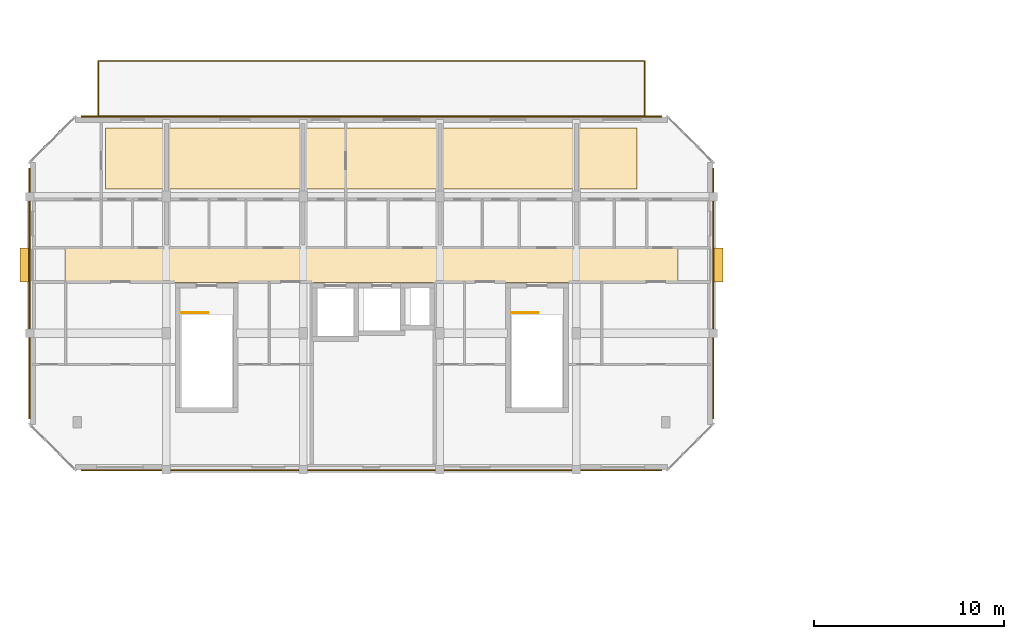
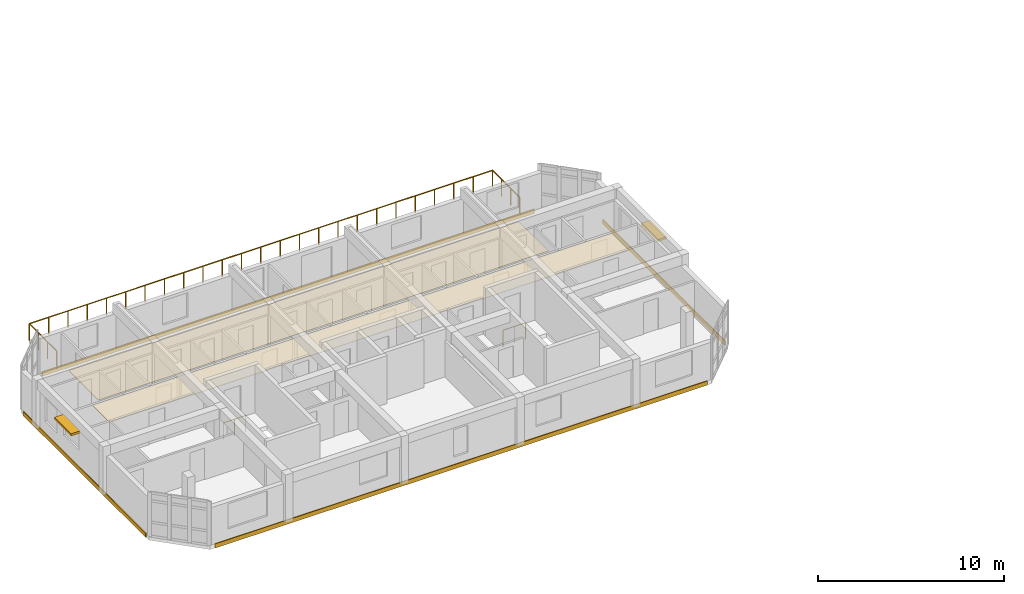
# One storey, part 24 of 30: 6 coverings, 3 railings, 2 shading devices.
"""IFC4 building model written with IfcOpenShell, lengths in metres."""

from ifc_helpers import new_model, si_unit, direction, frame, origin, origin_2d, place, context, subcontext, project, spatial, polyline, rectangle, circle, outline, extrude, material, layer, layer_set, type_object, element, save


model = new_model("IFC4")

# Units and contexts
model_context = context("Model", 3, precision=1e-05, world=origin(), true_north=direction((0.0, 1.0)))
body_context = subcontext(model_context, "Body", "Model", "MODEL_VIEW")
ifc_project = project(units=[si_unit("LENGTHUNIT", "METRE"), si_unit("AREAUNIT", "SQUARE_METRE"), si_unit("VOLUMEUNIT", "CUBIC_METRE"), si_unit("PLANEANGLEUNIT", "RADIAN"), si_unit("MASSUNIT", "GRAM", prefix="KILO")], contexts=[model_context])

# Site, building, storey
site_placement = place(None, origin())
site = spatial("IfcSite", under=ifc_project, at=site_placement, CompositionType="ELEMENT")
building_placement = place(site_placement, origin())
building = spatial("IfcBuilding", under=site, at=building_placement, Name="Ochrevale Crest", CompositionType="ELEMENT")
storey_placement = place(building_placement, frame((0.0, 0.0, 33.89990234375)))
storey = spatial("IfcBuildingStorey", under=building, at=storey_placement, Name="L10", CompositionType="ELEMENT", Elevation=33.89990234375)

# Coverings
ifc_material_1 = material(Name="Gypsum plasterboard", Category="gypsum")
ifc_layer_1 = layer(ifc_material_1, 0.02490234375)
ifc_layer_set_1 = layer_set([ifc_layer_1], Name="Gypsum plasterboard")
covering_type_1 = type_object("IfcCoveringType", Name="COV-CEIL-GYP", PredefinedType="CEILING", material=ifc_layer_set_1)
covering_1_placement = place(storey_placement, frame((0.0, 0.0, 2.280029296875)))
element("IfcCovering", 1, at=covering_1_placement, inside=storey, type_object=covering_type_1, Name="Block B L10 acoustic corridor ceiling", PredefinedType="CEILING", context=body_context, shape_type="SweptSolid", body=[
    extrude(outline(polyline([(1.85009765625, 81.860107421875), (34.14990234375, 81.860107421875), (34.14990234375, 83.739990234375), (1.85009765625, 83.739990234375), (1.85009765625, 81.860107421875)])), origin(), (0.0, 0.0, 1.0), 0.025146484375),
])
ifc_material_2 = material(Name="Glazed terracotta rainscreen tile", Category="masonry")
ifc_layer_2 = layer(ifc_material_2, 0.048095703125)
ifc_layer_set_2 = layer_set([ifc_layer_2], Name="Glazed terracotta rainscreen tile")
covering_type_2 = type_object("IfcCoveringType", Name="COV-CLAD-TER", PredefinedType="CLADDING", material=ifc_layer_set_2)
covering_2_placement = place(storey_placement, frame((18.0, 71.985595703125, -0.259765625), z_axis=(0.0, 0.0, 1.0), x_axis=(1.0, 0.0, 0.0)))
element("IfcCovering", 2, at=covering_2_placement, inside=storey, type_object=covering_type_2, Name="Block B L10 terracotta slab-edge spandrel cladding", PredefinedType="CLADDING", context=body_context, shape_type="SweptSolid", body=[
    extrude(rectangle(XDim=30.60009765625, YDim=0.06005859375, at=origin_2d()), origin(), (0.0, 0.0, 1.0), 0.280029296875),
])
covering_3_placement = place(storey_placement, frame((36.014404296875, 81.300048828125, -0.259765625), z_axis=(0.0, 0.0, 1.0), x_axis=(0.0, 1.0, 0.0)))
element("IfcCovering", 3, at=covering_3_placement, inside=storey, type_object=covering_type_2, Name="Block B L10 terracotta slab-edge spandrel cladding", PredefinedType="CLADDING", context=body_context, shape_type="SweptSolid", body=[
    extrude(rectangle(XDim=13.199951171875, YDim=0.06005859375, at=origin_2d()), origin(), (0.0, 0.0, 1.0), 0.280029296875),
])
covering_4_placement = place(storey_placement, frame((18.0, 90.614501953125, -0.259765625), z_axis=(0.0, 0.0, 1.0), x_axis=(-1.0, 0.0, 0.0)))
element("IfcCovering", 4, at=covering_4_placement, inside=storey, type_object=covering_type_2, Name="Block B L10 terracotta slab-edge spandrel cladding", PredefinedType="CLADDING", context=body_context, shape_type="SweptSolid", body=[
    extrude(rectangle(XDim=30.60009765625, YDim=0.06005859375, at=origin_2d()), origin(), (0.0, 0.0, 1.0), 0.280029296875),
])
covering_5_placement = place(storey_placement, frame((-0.014404296875, 81.300048828125, -0.259765625), z_axis=(0.0, 0.0, 1.0), x_axis=(0.0, -1.0, 0.0)))
element("IfcCovering", 5, at=covering_5_placement, inside=storey, type_object=covering_type_2, Name="Block B L10 terracotta slab-edge spandrel cladding", PredefinedType="CLADDING", context=body_context, shape_type="SweptSolid", body=[
    extrude(rectangle(XDim=13.199951171875, YDim=0.06005859375, at=origin_2d()), origin(), (0.0, 0.0, 1.0), 0.280029296875),
])
ifc_material_3 = material(Name="Engineered spotted-gum hardwood flooring", Category="wood")
ifc_layer_3 = layer(ifc_material_3, 0.02001953125)
ifc_layer_set_3 = layer_set([ifc_layer_3], Name="Engineered spotted-gum hardwood flooring")
covering_type_3 = type_object("IfcCoveringType", Name="COV-FLR-TIM", PredefinedType="FLOORING", material=ifc_layer_set_3)
covering_6_placement = place(storey_placement, origin())
element("IfcCovering", 6, at=covering_6_placement, inside=storey, type_object=covering_type_3, Name="Block B L10 spotted-gum apartment flooring", PredefinedType="FLOORING", context=body_context, shape_type="SweptSolid", body=[
    extrude(outline(polyline([(4.0, 86.800048828125), (32.0, 86.800048828125), (32.0, 90.0), (4.0, 90.0), (4.0, 86.800048828125)])), origin(), (0.0, 0.0, 1.0), 0.02001953125),
])

# Railings
ifc_material_4 = material(Name="Galvanised steel", Category="steel")
railing_type_1 = type_object("IfcRailingType", Name="RL-ST-GUARD", PredefinedType="BALUSTRADE", material=ifc_material_4)
railing_1_placement = place(storey_placement, frame((8.0, 80.27490234375, 0.0)))
element("IfcRailing", 7, at=railing_1_placement, inside=storey, type_object=railing_type_1, Name="L10 ST-B1 top well guard 1", PredefinedType="BALUSTRADE", context=body_context, shape_type="SweptSolid", body=[
    extrude(circle(Radius=0.02392578125, at=origin_2d()), frame((0.0, 0.0, 1.076171875), z_axis=(1.0, 0.0, 0.0), x_axis=(0.0, 1.0, 0.0)), (0.0, 0.0, 1.0), 1.39990234375),
    extrude(circle(Radius=0.02099609375, at=origin_2d()), origin(), (0.0, 0.0, 1.0), 1.052001953125),
    extrude(circle(Radius=0.02099609375, at=origin_2d()), frame((0.699951171875, 0.0, 0.0)), (0.0, 0.0, 1.0), 1.052001953125),
    extrude(circle(Radius=0.02099609375, at=origin_2d()), frame((1.39990234375, 0.0, 0.0)), (0.0, 0.0, 1.0), 1.052001953125),
])
railing_2_placement = place(storey_placement, frame((25.39990234375, 80.27490234375, 0.0)))
element("IfcRailing", 8, at=railing_2_placement, inside=storey, type_object=railing_type_1, Name="L10 ST-B2 top well guard 1", PredefinedType="BALUSTRADE", context=body_context, shape_type="SweptSolid", body=[
    extrude(circle(Radius=0.02392578125, at=origin_2d()), frame((0.0, 0.0, 1.076171875), z_axis=(1.0, 0.0, 0.0), x_axis=(0.0, 1.0, 0.0)), (0.0, 0.0, 1.0), 1.400146484375),
    extrude(circle(Radius=0.02099609375, at=origin_2d()), origin(), (0.0, 0.0, 1.0), 1.052001953125),
    extrude(circle(Radius=0.02099609375, at=origin_2d()), frame((0.7001953125, 0.0, 0.0)), (0.0, 0.0, 1.0), 1.052001953125),
    extrude(circle(Radius=0.02099609375, at=origin_2d()), frame((1.400146484375, 0.0, 0.0)), (0.0, 0.0, 1.0), 1.052001953125),
])
railing_type_2 = type_object("IfcRailingType", Name="RL-TER-1120", PredefinedType="BALUSTRADE", material=ifc_material_4)
railing_3_placement = place(storey_placement, frame((3.60009765625, 90.60009765625, 0.0)))
element("IfcRailing", 9, at=railing_3_placement, inside=storey, type_object=railing_type_2, Name="Block B L10 stepped roof-terrace perimeter balustrade", PredefinedType="BALUSTRADE", context=body_context, shape_type="SweptSolid", body=[
    extrude(circle(Radius=0.02392578125, at=origin_2d()), frame((0.0, 0.0, 1.09619140625), z_axis=(0.0, 1.0, 0.0), x_axis=(-1.0, 0.0, 0.0)), (0.0, 0.0, 1.0), 2.93994140625),
    extrude(circle(Radius=0.02392578125, at=origin_2d()), frame((0.0, 2.93994140625, 1.09619140625), z_axis=(1.0, 0.0, 0.0), x_axis=(0.0, 1.0, 0.0)), (0.0, 0.0, 1.0), 28.7998046875),
    extrude(circle(Radius=0.02392578125, at=origin_2d()), frame((28.7998046875, 2.93994140625, 1.09619140625), z_axis=(0.0, -1.0, 0.0), x_axis=(1.0, 0.0, 0.0)), (0.0, 0.0, 1.0), 2.93994140625),
    extrude(circle(Radius=0.02099609375, at=origin_2d()), origin(), (0.0, 0.0, 1.0), 1.072021484375),
    extrude(circle(Radius=0.02099609375, at=origin_2d()), frame((0.0, 0.97998046875, 0.0)), (0.0, 0.0, 1.0), 1.072021484375),
    extrude(circle(Radius=0.02099609375, at=origin_2d()), frame((0.0, 1.9599609375, 0.0)), (0.0, 0.0, 1.0), 1.072021484375),
    extrude(circle(Radius=0.02099609375, at=origin_2d()), frame((0.0, 2.93994140625, 0.0)), (0.0, 0.0, 1.0), 1.072021484375),
    extrude(circle(Radius=0.02099609375, at=origin_2d()), frame((1.199951171875, 2.93994140625, 0.0)), (0.0, 0.0, 1.0), 1.072021484375),
    extrude(circle(Radius=0.02099609375, at=origin_2d()), frame((2.39990234375, 2.93994140625, 0.0)), (0.0, 0.0, 1.0), 1.072021484375),
    extrude(circle(Radius=0.02099609375, at=origin_2d()), frame((3.60009765625, 2.93994140625, 0.0)), (0.0, 0.0, 1.0), 1.072021484375),
    extrude(circle(Radius=0.02099609375, at=origin_2d()), frame((4.800048828125, 2.93994140625, 0.0)), (0.0, 0.0, 1.0), 1.072021484375),
    extrude(circle(Radius=0.02099609375, at=origin_2d()), frame((6.0, 2.93994140625, 0.0)), (0.0, 0.0, 1.0), 1.072021484375),
    extrude(circle(Radius=0.02099609375, at=origin_2d()), frame((7.199951171875, 2.93994140625, 0.0)), (0.0, 0.0, 1.0), 1.072021484375),
    extrude(circle(Radius=0.02099609375, at=origin_2d()), frame((8.39990234375, 2.93994140625, 0.0)), (0.0, 0.0, 1.0), 1.072021484375),
    extrude(circle(Radius=0.02099609375, at=origin_2d()), frame((9.599853515625, 2.93994140625, 0.0)), (0.0, 0.0, 1.0), 1.072021484375),
    extrude(circle(Radius=0.02099609375, at=origin_2d()), frame((10.7998046875, 2.93994140625, 0.0)), (0.0, 0.0, 1.0), 1.072021484375),
    extrude(circle(Radius=0.02099609375, at=origin_2d()), frame((12.0, 2.93994140625, 0.0)), (0.0, 0.0, 1.0), 1.072021484375),
    extrude(circle(Radius=0.02099609375, at=origin_2d()), frame((13.199951171875, 2.93994140625, 0.0)), (0.0, 0.0, 1.0), 1.072021484375),
    extrude(circle(Radius=0.02099609375, at=origin_2d()), frame((14.39990234375, 2.93994140625, 0.0)), (0.0, 0.0, 1.0), 1.072021484375),
    extrude(circle(Radius=0.02099609375, at=origin_2d()), frame((15.599853515625, 2.93994140625, 0.0)), (0.0, 0.0, 1.0), 1.072021484375),
    extrude(circle(Radius=0.02099609375, at=origin_2d()), frame((16.7998046875, 2.93994140625, 0.0)), (0.0, 0.0, 1.0), 1.072021484375),
    extrude(circle(Radius=0.02099609375, at=origin_2d()), frame((18.0, 2.93994140625, 0.0)), (0.0, 0.0, 1.0), 1.072021484375),
    extrude(circle(Radius=0.02099609375, at=origin_2d()), frame((19.199951171875, 2.93994140625, 0.0)), (0.0, 0.0, 1.0), 1.072021484375),
    extrude(circle(Radius=0.02099609375, at=origin_2d()), frame((20.39990234375, 2.93994140625, 0.0)), (0.0, 0.0, 1.0), 1.072021484375),
    extrude(circle(Radius=0.02099609375, at=origin_2d()), frame((21.599853515625, 2.93994140625, 0.0)), (0.0, 0.0, 1.0), 1.072021484375),
    extrude(circle(Radius=0.02099609375, at=origin_2d()), frame((22.7998046875, 2.93994140625, 0.0)), (0.0, 0.0, 1.0), 1.072021484375),
    extrude(circle(Radius=0.02099609375, at=origin_2d()), frame((23.999755859375, 2.93994140625, 0.0)), (0.0, 0.0, 1.0), 1.072021484375),
    extrude(circle(Radius=0.02099609375, at=origin_2d()), frame((25.19970703125, 2.93994140625, 0.0)), (0.0, 0.0, 1.0), 1.072021484375),
    extrude(circle(Radius=0.02099609375, at=origin_2d()), frame((26.39990234375, 2.93994140625, 0.0)), (0.0, 0.0, 1.0), 1.072021484375),
    extrude(circle(Radius=0.02099609375, at=origin_2d()), frame((27.599853515625, 2.93994140625, 0.0)), (0.0, 0.0, 1.0), 1.072021484375),
    extrude(circle(Radius=0.02099609375, at=origin_2d()), frame((28.7998046875, 2.93994140625, 0.0)), (0.0, 0.0, 1.0), 1.072021484375),
    extrude(circle(Radius=0.02099609375, at=origin_2d()), frame((28.7998046875, 1.9599609375, 0.0)), (0.0, 0.0, 1.0), 1.072021484375),
    extrude(circle(Radius=0.02099609375, at=origin_2d()), frame((28.7998046875, 0.97998046875, 0.0)), (0.0, 0.0, 1.0), 1.072021484375),
    extrude(circle(Radius=0.02099609375, at=origin_2d()), frame((28.7998046875, 0.0, 0.0)), (0.0, 0.0, 1.0), 1.072021484375),
])

# Shading devices
ifc_material_5 = material(Name="Anodised aluminium 6063-T5", Category="aluminium")
shading_device_type = type_object("IfcShadingDeviceType", Name="SHD-SUNSHADE-OC", PredefinedType="USERDEFINED", material=ifc_material_5)
for number, where, z_axis, x_axis, name in (
    (10, (-0.239990234375, 82.800048828125, 2.2099609375), (0.0, 0.0, 1.0), (1.0, 0.0, 0.0), "Block B L10 gable window sunshade W"),
    (11, (36.239990234375, 82.800048828125, 2.2099609375), (0.0, 0.0, 1.0), (1.0, 0.0, 0.0), "Block B L10 gable window sunshade E"),
):
    element("IfcShadingDevice", number, at=place(storey_placement, frame(where, z_axis=z_axis, x_axis=x_axis)), inside=storey, type_object=shading_device_type, Name=name, ObjectType="HORIZONTAL SUNSHADE", PredefinedType="USERDEFINED", context=body_context, shape_type="SweptSolid", body=[
        extrude(rectangle(XDim=0.550048828125, YDim=1.800048828125, at=origin_2d()), origin(), (0.0, 0.0, 1.0), 0.139892578125),
    ])

save(model, "model.ifc")
